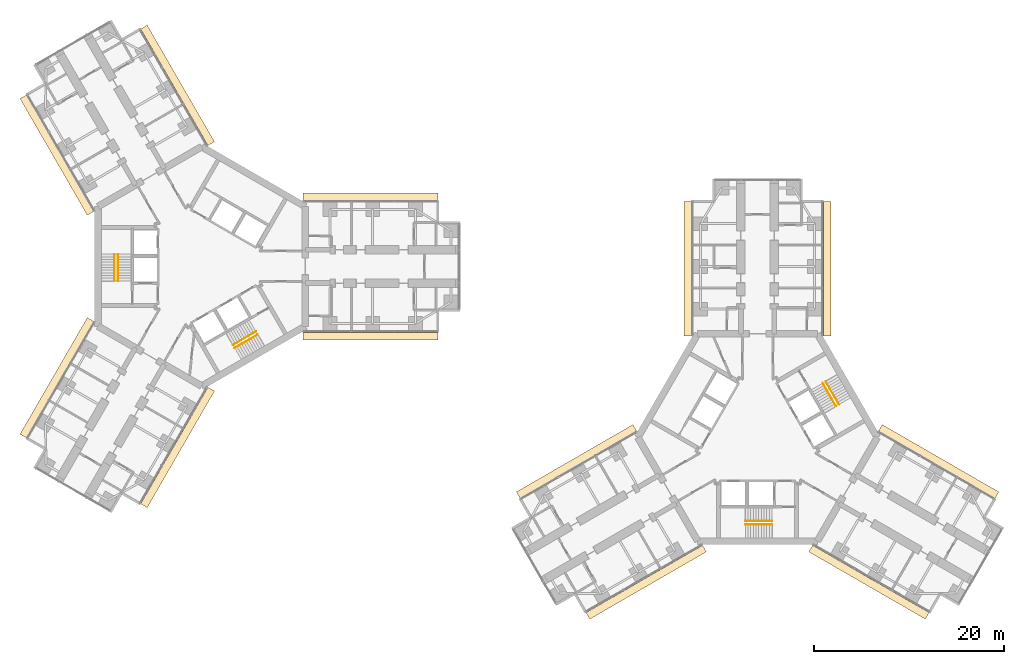
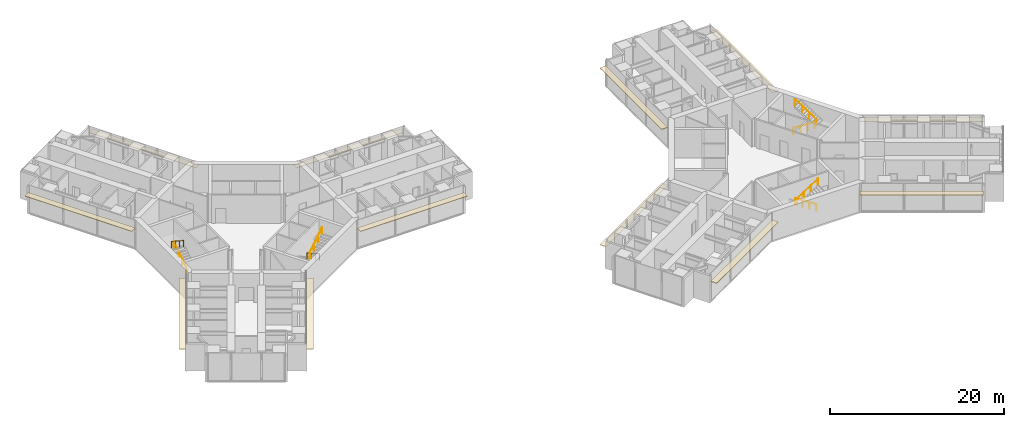
# One storey, part 24 of 24: 12 coverings, 8 railings.
"""IFC4 building model written with IfcOpenShell, lengths in metres."""

from ifc_helpers import new_model, si_unit, direction, frame, origin, origin_2d, place, context, subcontext, project, spatial, rectangle, circle, extrude, material, layer, layer_set, type_object, element, save


model = new_model("IFC4")

# Units and contexts
model_context = context("Model", 3, precision=1e-05, world=origin(), true_north=direction((0.0, 1.0)))
body_context = subcontext(model_context, "Body", "Model", "MODEL_VIEW")
ifc_project = project(units=[si_unit("LENGTHUNIT", "METRE"), si_unit("AREAUNIT", "SQUARE_METRE"), si_unit("VOLUMEUNIT", "CUBIC_METRE"), si_unit("PLANEANGLEUNIT", "RADIAN"), si_unit("MASSUNIT", "GRAM", prefix="KILO")], contexts=[model_context])

# Site, building, storey
site_placement = place(None, origin())
site = spatial("IfcSite", under=ifc_project, at=site_placement, CompositionType="ELEMENT")
building_placement = place(site_placement, origin())
building = spatial("IfcBuilding", under=site, at=building_placement, Name="Upepo Twin Towers", CompositionType="ELEMENT")
storey_placement = place(building_placement, frame((0.0, 0.0, 48.5)))
storey = spatial("IfcBuildingStorey", under=building, at=storey_placement, Name="L11", CompositionType="ELEMENT", Elevation=48.5)

# Coverings
ifc_material_1 = material(Name="Anodised aluminium, pale silver", Category="aluminium")
ifc_layer = layer(ifc_material_1, 0.080078125)
ifc_layer_set = layer_set([ifc_layer], Name="Brise-soleil blade 800 pale aluminium")
covering_type = type_object("IfcCoveringType", Name="Brise-soleil blade 800 pale aluminium", PredefinedType="USERDEFINED", material=ifc_layer_set)
for number, where, z_axis, x_axis, name in (
    (1, (17.7685546875, 7.330078125, 2.909912109375), (0.0, 0.0, 1.0), (1.0, 0.0, 0.0), "T1 L11 wing A brise-soleil L"),
    (2, (17.7685546875, -7.330078125, 2.909912109375), (0.0, 0.0, 1.0), (1.0, 0.0, 0.0), "T1 L11 wing A brise-soleil R"),
    (3, (-15.232177734375, 11.722900390625, 2.909912109375), (0.0, 0.0, 1.0), (-0.50000003023, 0.866025386331, 0.0), "T1 L11 wing B brise-soleil L"),
    (4, (-2.536376953125, 19.052978515625, 2.909912109375), (0.0, 0.0, 1.0), (-0.50000003023, 0.866025386331, 0.0), "T1 L11 wing B brise-soleil R"),
    (5, (-2.536376953125, -19.052978515625, 2.909912109375), (0.0, 0.0, 1.0), (-0.50000003023, -0.866025386331, 0.0), "T1 L11 wing C brise-soleil L"),
    (6, (-15.232177734375, -11.722900390625, 2.909912109375), (0.0, 0.0, 1.0), (-0.50000003023, -0.866025386331, 0.0), "T1 L11 wing C brise-soleil R"),
    (7, (51.169921875, -0.2314453125, 2.909912109375), (0.0, 0.0, 1.0), (0.0, 1.0, 0.0), "T2 L11 wing A brise-soleil L"),
    (8, (65.830078125, -0.2314453125, 2.909912109375), (0.0, 0.0, 1.0), (0.0, 1.0, 0.0), "T2 L11 wing A brise-soleil R"),
    (9, (46.777099609375, -33.232177734375, 2.909912109375), (0.0, 0.0, 1.0), (-0.866025386331, -0.50000003023, 0.0), "T2 L11 wing B brise-soleil L"),
    (10, (39.447021484375, -20.536376953125, 2.909912109375), (0.0, 0.0, 1.0), (-0.866025386331, -0.50000003023, 0.0), "T2 L11 wing B brise-soleil R"),
    (11, (77.552978515625, -20.536376953125, 2.909912109375), (0.0, 0.0, 1.0), (0.866025386331, -0.50000003023, 0.0), "T2 L11 wing C brise-soleil L"),
    (12, (70.222900390625, -33.232177734375, 2.909912109375), (0.0, 0.0, 1.0), (0.866025386331, -0.50000003023, 0.0), "T2 L11 wing C brise-soleil R"),
):
    element("IfcCovering", number, at=place(storey_placement, frame(where, z_axis=z_axis, x_axis=x_axis)), inside=storey, type_object=covering_type, Name=name, ObjectType="SUNSHADE", PredefinedType="USERDEFINED", context=body_context, shape_type="SweptSolid", body=[
        extrude(rectangle(XDim=14.162841796875, YDim=0.800048828125, at=origin_2d()), origin(), (0.0, 0.0, 1.0), 0.080078125),
    ])

# Railings
ifc_material_2 = material(Name="Stainless steel", Category="steel")
railing_type = type_object("IfcRailingType", Name="Stair handrail 900", PredefinedType="HANDRAIL", material=ifc_material_2)
railing_1_placement = place(storey_placement, frame((-8.800048828125, -1.52001953125, 0.181884765625)))
element("IfcRailing", 13, at=railing_1_placement, inside=storey, type_object=railing_type, Name="T1 stair S1 L11 handrail 1", PredefinedType="HANDRAIL", context=body_context, shape_type="SweptSolid", body=[
    extrude(circle(Radius=0.02392578125, at=origin_2d()), frame((0.0, 0.0, 0.8759765625), z_axis=(0.0, 0.838705829183, 0.544584733623), x_axis=(-1.0, 0.0, 0.0)), (0.0, 0.0, 1.0), 3.338623046875),
    extrude(circle(Radius=0.02099609375, at=origin_2d()), origin(), (0.0, 0.0, 1.0), 0.851806640625),
    extrude(circle(Radius=0.02099609375, at=origin_2d()), frame((0.0, 0.933349609375, 0.60595703125)), (0.0, 0.0, 1.0), 0.851806640625),
    extrude(circle(Radius=0.02099609375, at=origin_2d()), frame((0.0, 1.86669921875, 1.212158203125)), (0.0, 0.0, 1.0), 0.851806640625),
    extrude(circle(Radius=0.02099609375, at=origin_2d()), frame((0.0, 2.800048828125, 1.818115234375)), (0.0, 0.0, 1.0), 0.851806640625),
])
railing_2_placement = place(storey_placement, frame((-9.158447265625, 1.280029296875, 2.181884765625)))
element("IfcRailing", 14, at=railing_2_placement, inside=storey, type_object=railing_type, Name="T1 stair S1 L11 handrail 2", PredefinedType="HANDRAIL", context=body_context, shape_type="SweptSolid", body=[
    extrude(circle(Radius=0.02392578125, at=origin_2d()), frame((0.0, 0.0, 0.8759765625), z_axis=(0.0, -0.838705829183, 0.544584733623), x_axis=(1.0, 0.0, 0.0)), (0.0, 0.0, 1.0), 3.338623046875),
    extrude(circle(Radius=0.02099609375, at=origin_2d()), origin(), (0.0, 0.0, 1.0), 0.851806640625),
    extrude(circle(Radius=0.02099609375, at=origin_2d()), frame((0.0, -0.933349609375, 0.60595703125)), (0.0, 0.0, 1.0), 0.851806640625),
    extrude(circle(Radius=0.02099609375, at=origin_2d()), frame((0.0, -1.86669921875, 1.212158203125)), (0.0, 0.0, 1.0), 0.851806640625),
    extrude(circle(Radius=0.02099609375, at=origin_2d()), frame((0.0, -2.800048828125, 1.818115234375)), (0.0, 0.0, 1.0), 0.851806640625),
])
railing_3_placement = place(storey_placement, frame((5.71630859375, -6.861083984375, 0.181884765625)))
element("IfcRailing", 15, at=railing_3_placement, inside=storey, type_object=railing_type, Name="T1 stair S2 L11 handrail 1", PredefinedType="HANDRAIL", context=body_context, shape_type="SweptSolid", body=[
    extrude(circle(Radius=0.02392578125, at=origin_2d()), frame((0.0, 0.0, 0.8759765625), z_axis=(-0.726336304947, -0.419332699614, 0.544605966869), x_axis=(0.49998411664, -0.866034573852, 0.0)), (0.0, 0.0, 1.0), 3.33837890625),
    extrude(circle(Radius=0.02099609375, at=origin_2d()), origin(), (0.0, 0.0, 1.0), 0.851806640625),
    extrude(circle(Radius=0.02099609375, at=origin_2d()), frame((-0.808349609375, -0.466552734375, 0.60595703125)), (0.0, 0.0, 1.0), 0.851806640625),
    extrude(circle(Radius=0.02099609375, at=origin_2d()), frame((-1.616455078125, -0.933349609375, 1.212158203125)), (0.0, 0.0, 1.0), 0.851806640625),
    extrude(circle(Radius=0.02099609375, at=origin_2d()), frame((-2.4248046875, -1.39990234375, 1.818115234375)), (0.0, 0.0, 1.0), 0.851806640625),
])
railing_4_placement = place(storey_placement, frame((3.470703125, -8.5712890625, 2.181884765625)))
element("IfcRailing", 16, at=railing_4_placement, inside=storey, type_object=railing_type, Name="T1 stair S2 L11 handrail 2", PredefinedType="HANDRAIL", context=body_context, shape_type="SweptSolid", body=[
    extrude(circle(Radius=0.02392578125, at=origin_2d()), frame((0.0, 0.0, 0.8759765625), z_axis=(0.726336304947, 0.419332699614, 0.544605966869), x_axis=(-0.49998411664, 0.866034573852, 0.0)), (0.0, 0.0, 1.0), 3.33837890625),
    extrude(circle(Radius=0.02099609375, at=origin_2d()), origin(), (0.0, 0.0, 1.0), 0.851806640625),
    extrude(circle(Radius=0.02099609375, at=origin_2d()), frame((0.808349609375, 0.466552734375, 0.60595703125)), (0.0, 0.0, 1.0), 0.851806640625),
    extrude(circle(Radius=0.02099609375, at=origin_2d()), frame((1.616455078125, 0.933349609375, 1.212158203125)), (0.0, 0.0, 1.0), 0.851806640625),
    extrude(circle(Radius=0.02099609375, at=origin_2d()), frame((2.4248046875, 1.39990234375, 1.818115234375)), (0.0, 0.0, 1.0), 0.851806640625),
])
railing_5_placement = place(storey_placement, frame((60.02001953125, -26.800048828125, 0.181884765625)))
element("IfcRailing", 17, at=railing_5_placement, inside=storey, type_object=railing_type, Name="T2 stair S1 L11 handrail 1", PredefinedType="HANDRAIL", context=body_context, shape_type="SweptSolid", body=[
    extrude(circle(Radius=0.02392578125, at=origin_2d()), frame((0.0, 0.0, 0.8759765625), z_axis=(-0.838705829183, 0.0, 0.544584733623), x_axis=(0.0, -1.0, 0.0)), (0.0, 0.0, 1.0), 3.338623046875),
    extrude(circle(Radius=0.02099609375, at=origin_2d()), origin(), (0.0, 0.0, 1.0), 0.851806640625),
    extrude(circle(Radius=0.02099609375, at=origin_2d()), frame((-0.933349609375, 0.0, 0.60595703125)), (0.0, 0.0, 1.0), 0.851806640625),
    extrude(circle(Radius=0.02099609375, at=origin_2d()), frame((-1.86669921875, 0.0, 1.212158203125)), (0.0, 0.0, 1.0), 0.851806640625),
    extrude(circle(Radius=0.02099609375, at=origin_2d()), frame((-2.800048828125, 0.0, 1.818115234375)), (0.0, 0.0, 1.0), 0.851806640625),
])
railing_6_placement = place(storey_placement, frame((57.219970703125, -27.158447265625, 2.181884765625)))
element("IfcRailing", 18, at=railing_6_placement, inside=storey, type_object=railing_type, Name="T2 stair S1 L11 handrail 2", PredefinedType="HANDRAIL", context=body_context, shape_type="SweptSolid", body=[
    extrude(circle(Radius=0.02392578125, at=origin_2d()), frame((0.0, 0.0, 0.8759765625), z_axis=(0.838705829183, 0.0, 0.544584733623), x_axis=(0.0, 1.0, 0.0)), (0.0, 0.0, 1.0), 3.338623046875),
    extrude(circle(Radius=0.02099609375, at=origin_2d()), origin(), (0.0, 0.0, 1.0), 0.851806640625),
    extrude(circle(Radius=0.02099609375, at=origin_2d()), frame((0.933349609375, 0.0, 0.60595703125)), (0.0, 0.0, 1.0), 0.851806640625),
    extrude(circle(Radius=0.02099609375, at=origin_2d()), frame((1.86669921875, 0.0, 1.212158203125)), (0.0, 0.0, 1.0), 0.851806640625),
    extrude(circle(Radius=0.02099609375, at=origin_2d()), frame((2.800048828125, 0.0, 1.818115234375)), (0.0, 0.0, 1.0), 0.851806640625),
])
railing_7_placement = place(storey_placement, frame((65.361083984375, -12.28369140625, 0.181884765625)))
element("IfcRailing", 19, at=railing_7_placement, inside=storey, type_object=railing_type, Name="T2 stair S2 L11 handrail 1", PredefinedType="HANDRAIL", context=body_context, shape_type="SweptSolid", body=[
    extrude(circle(Radius=0.02392578125, at=origin_2d()), frame((0.0, 0.0, 0.8759765625), z_axis=(0.419332699614, -0.726336304947, 0.544605966869), x_axis=(0.866034573852, 0.49998411664, 0.0)), (0.0, 0.0, 1.0), 3.33837890625),
    extrude(circle(Radius=0.02099609375, at=origin_2d()), origin(), (0.0, 0.0, 1.0), 0.851806640625),
    extrude(circle(Radius=0.02099609375, at=origin_2d()), frame((0.466552734375, -0.808349609375, 0.60595703125)), (0.0, 0.0, 1.0), 0.851806640625),
    extrude(circle(Radius=0.02099609375, at=origin_2d()), frame((0.933349609375, -1.616455078125, 1.212158203125)), (0.0, 0.0, 1.0), 0.851806640625),
    extrude(circle(Radius=0.02099609375, at=origin_2d()), frame((1.39990234375, -2.4248046875, 1.818115234375)), (0.0, 0.0, 1.0), 0.851806640625),
])
railing_8_placement = place(storey_placement, frame((67.0712890625, -14.529296875, 2.181884765625)))
element("IfcRailing", 20, at=railing_8_placement, inside=storey, type_object=railing_type, Name="T2 stair S2 L11 handrail 2", PredefinedType="HANDRAIL", context=body_context, shape_type="SweptSolid", body=[
    extrude(circle(Radius=0.02392578125, at=origin_2d()), frame((0.0, 0.0, 0.8759765625), z_axis=(-0.419332699614, 0.726336304947, 0.544605966869), x_axis=(-0.866034573852, -0.49998411664, 0.0)), (0.0, 0.0, 1.0), 3.33837890625),
    extrude(circle(Radius=0.02099609375, at=origin_2d()), origin(), (0.0, 0.0, 1.0), 0.851806640625),
    extrude(circle(Radius=0.02099609375, at=origin_2d()), frame((-0.466552734375, 0.808349609375, 0.60595703125)), (0.0, 0.0, 1.0), 0.851806640625),
    extrude(circle(Radius=0.02099609375, at=origin_2d()), frame((-0.933349609375, 1.616455078125, 1.212158203125)), (0.0, 0.0, 1.0), 0.851806640625),
    extrude(circle(Radius=0.02099609375, at=origin_2d()), frame((-1.39990234375, 2.4248046875, 1.818115234375)), (0.0, 0.0, 1.0), 0.851806640625),
])

save(model, "model.ifc")
